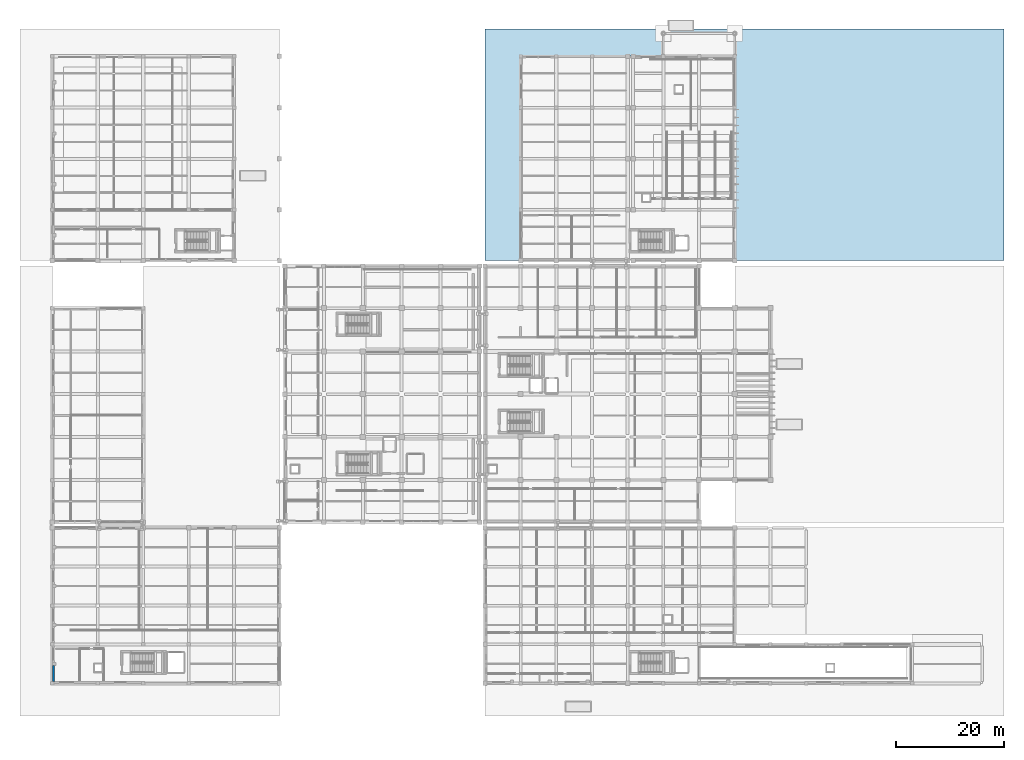
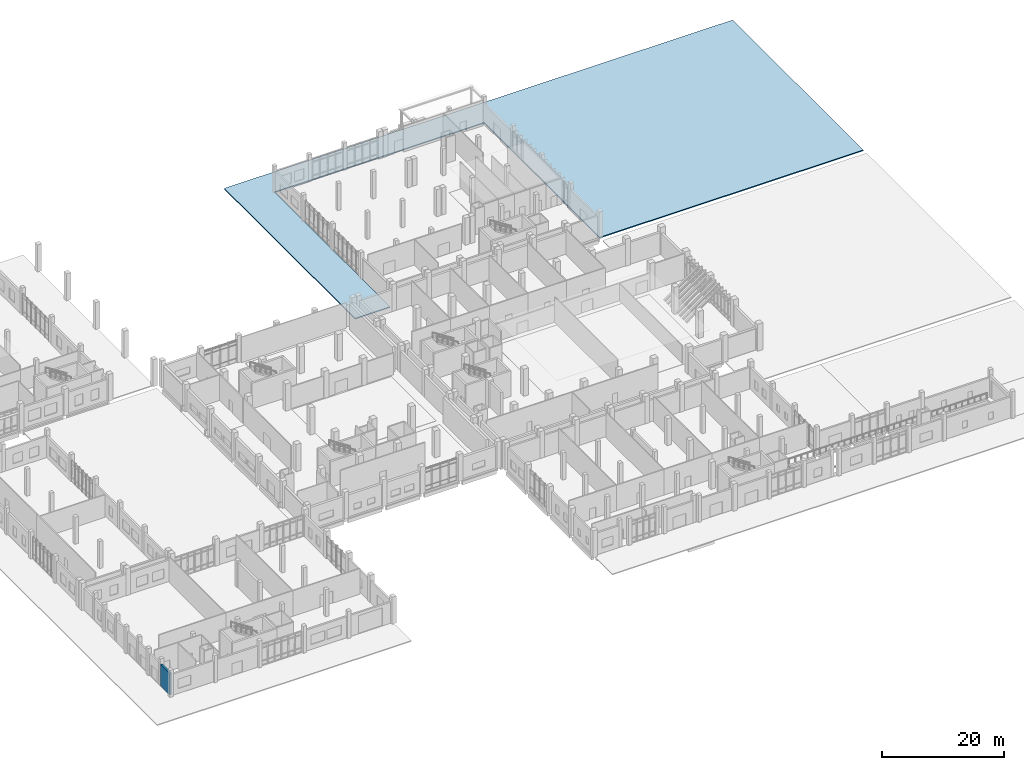
# One storey, part 49 of 79: 1 slab, 1 wall.
"""IFC4 building model written with IfcOpenShell, lengths in metres."""

from ifc_helpers import new_model, si_unit, direction, frame, frame_2d, origin, place, context, subcontext, project, spatial, polyline, rectangle, outline, extrude, material, layer, layer_set, type_object, element, save


model = new_model("IFC4")

# Units and contexts
model_context = context("Model", 3, precision=1e-05, world=origin(), true_north=direction((0.0, 1.0)))
body_context = subcontext(model_context, "Body", "Model", "MODEL_VIEW")
ifc_project = project(units=[si_unit("LENGTHUNIT", "METRE"), si_unit("AREAUNIT", "SQUARE_METRE"), si_unit("VOLUMEUNIT", "CUBIC_METRE"), si_unit("PLANEANGLEUNIT", "RADIAN"), si_unit("MASSUNIT", "GRAM", prefix="KILO")], contexts=[model_context])

# Site, building, storey
site_placement = place(None, origin())
site = spatial("IfcSite", under=ifc_project, at=site_placement, CompositionType="ELEMENT")
building_placement = place(site_placement, origin())
building = spatial("IfcBuilding", under=site, at=building_placement, Name="Kelarvand Opera House", CompositionType="ELEMENT")
storey_placement = place(building_placement, origin())
storey = spatial("IfcBuildingStorey", under=building, at=storey_placement, Name="L00", CompositionType="ELEMENT", Elevation=0.0)

# Slab
ifc_material = material(Name="Concrete C35/45", Category="concrete")
ifc_layer_1 = layer(ifc_material, 0.199951171875, Name="Concrete C35/45", Category="concrete")
ifc_layer_set_1 = layer_set([ifc_layer_1], Name="Concrete C35/45")
slab_type = type_object("IfcSlabType", Name="Site Entrance and Apron Paving 200", PredefinedType="USERDEFINED", material=ifc_layer_set_1)
slab_placement = place(storey_placement, frame((0.0, 0.0, -0.199951171875)))
element("IfcSlab", 1, at=slab_placement, inside=storey, type_object=slab_type, Name="Exterior Pav Ne V5 Wrap", ObjectType="PAVING", PredefinedType="USERDEFINED", context=body_context, shape_type="SweptSolid", body=[
    extrude(outline(polyline([(89.0, 87.199951171875), (95.60009765625, 87.199951171875), (95.60009765625, 125.0), (135.199951171875, 125.0), (135.199951171875, 87.199951171875), (185.0, 87.199951171875), (185.0, 130.0), (89.0, 130.0), (89.0, 87.199951171875)])), origin(), (0.0, 0.0, 1.0), 0.199951171875),
])

# Wall
ifc_layer_2 = layer(ifc_material, 0.320068359375, Name="Concrete C35/45", Category="concrete")
ifc_layer_set_2 = layer_set([ifc_layer_2], Name="Concrete C35/45")
wall_type = type_object("IfcWallType", Name="Insulated Buff Brick Cavity Wall 320", PredefinedType="SOLIDWALL", material=ifc_layer_set_2)
wall_placement = place(storey_placement, frame((9.179931640625, 9.324951171875, 0.0), z_axis=(0.0, 0.0, 1.0), x_axis=(0.0, 1.0, 0.0)))
element("IfcWall", 2, at=wall_placement, inside=storey, type_object=wall_type, Name="V4 L00 Exterior Wall EW-320 (502)", PredefinedType="SOLIDWALL", context=body_context, shape_type="SweptSolid", body=[
    extrude(rectangle(XDim=2.97509765625, YDim=0.320068359375, at=frame_2d((1.487548828125, 0.0))), origin(), (0.0, 0.0, 1.0), 4.342041015625),
])

save(model, "model.ifc")
